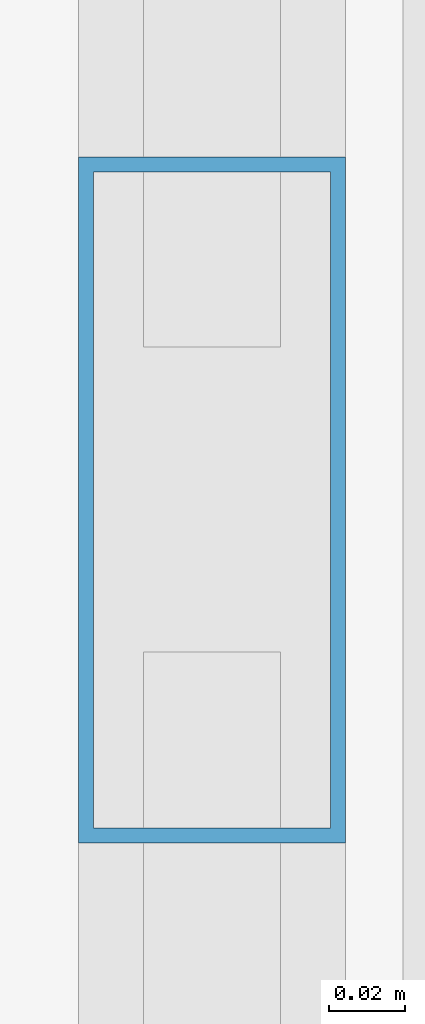
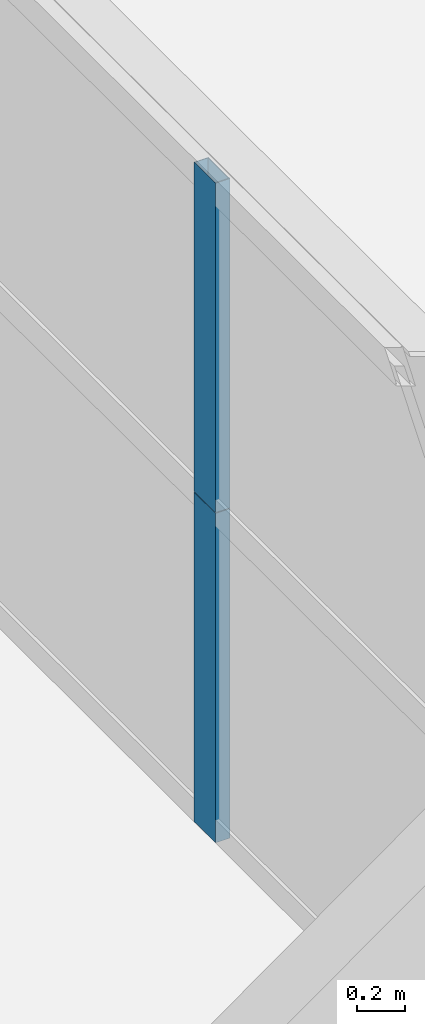
# One storey, part 31 of 45: 2 members, 1 element without a shape of its own.
"""IFC4 building model written with IfcOpenShell, lengths in metres."""

from ifc_helpers import new_model, si_unit, direction, frame, origin, origin_2d, place, context, subcontext, project, spatial, hollow_rectangle, extrude, source, transform, mapped, material, layer, layer_set, material_profile, profile_set, type_object, element, aggregate, save


model = new_model("IFC4")

# Units and contexts
model_context = context("Model", 3, precision=1e-05, world=origin(), true_north=direction((0.0, 1.0)))
body_context = subcontext(model_context, "Body", "Model", "MODEL_VIEW")
ifc_project = project(units=[si_unit("LENGTHUNIT", "METRE"), si_unit("AREAUNIT", "SQUARE_METRE"), si_unit("VOLUMEUNIT", "CUBIC_METRE"), si_unit("PLANEANGLEUNIT", "RADIAN"), si_unit("MASSUNIT", "GRAM", prefix="KILO"), si_unit("THERMODYNAMICTEMPERATUREUNIT", "KELVIN"), si_unit("POWERUNIT", "WATT")], contexts=[model_context])

# Site, building, storey
site_placement = place(None, origin())
site = spatial("IfcSite", under=ifc_project, at=site_placement, CompositionType="ELEMENT")
building_placement = place(site_placement, origin())
building = spatial("IfcBuilding", under=site, at=building_placement, Name="Yuzanri Waterfront Tower", CompositionType="ELEMENT")
storey_placement = place(building_placement, frame((0.0, 0.0, 30.60009765625)))
storey = spatial("IfcBuildingStorey", under=building, at=storey_placement, Name="L07", CompositionType="ELEMENT", Elevation=30.60009765625)

# Curtain wall, members
ifc_material_1 = material(Name="Anodized Architectural Bronze", Category="metal")
ifc_layer = layer(ifc_material_1, 0.159912109375)
ifc_layer_set = layer_set([ifc_layer], Name="Anodized Architectural Bronze")
curtain_wall_type = type_object("IfcCurtainWallType", Name="Anodized Bronze Hotel Lower-Tier Recessed Unitized Curtain Wall 8100", PredefinedType="NOTDEFINED", material=ifc_layer_set)
curtain_wall_placement = place(storey_placement, origin())
curtain_wall = element("IfcCurtainWall", 1, at=curtain_wall_placement, inside=storey, type_object=curtain_wall_type, Name="L07 Curtain Wall CW-L07-ER", PredefinedType="NOTDEFINED")
ifc_material_2 = material(Name="Anodized Architectural Bronze", Category="metal")
ifc_material_profile = material_profile(ifc_material_2, hollow_rectangle(XDim=0.070068359375, YDim=0.179931640625, WallThickness=0.00390625, at=origin_2d()), Name="CWM 70x180")
ifc_profile_set = profile_set([ifc_material_profile], Name="Anodized Architectural Bronze")
member_type = type_object("IfcMemberType", Name="Anodized Bronze Standard Curtain-Wall Mullion 70x180", PredefinedType="MULLION", material=ifc_profile_set)
shared_shape = source(origin(), body_context, "Body", "SweptSolid", [
    extrude(hollow_rectangle(XDim=0.070068359375, YDim=0.179931640625, WallThickness=0.00390625, at=origin_2d()), origin(), (0.0, 0.0, 1.0), 1.68798828125),
])
member_1_placement = place(storey_placement, frame((61.949951171875, 34.89990234375, 0.0), z_axis=(0.0, 0.0, 1.0), x_axis=(1.0, 0.0, 0.0)))
member_1 = element("IfcMember", 2, at=member_1_placement, type_object=member_type, Name="CW-L07-ER Lower Mullion 01", PredefinedType="MULLION", context=body_context, shape_type="MappedRepresentation", body=[
    mapped(shared_shape, transform((0.0, 0.0, 0.0), scale=1.0)),
])
member_2_placement = place(storey_placement, frame((61.949951171875, 34.89990234375, 1.69189453125), z_axis=(0.0, 0.0, 1.0), x_axis=(1.0, 0.0, 0.0)))
member_2 = element("IfcMember", 3, at=member_2_placement, type_object=member_type, Name="CW-L07-ER Upper Mullion 01", PredefinedType="MULLION", context=body_context, shape_type="MappedRepresentation", body=[
    mapped(shared_shape, transform((0.0, 0.0, 0.0), scale=1.0)),
])
aggregate(curtain_wall, [member_1, member_2])

save(model, "model.ifc")
